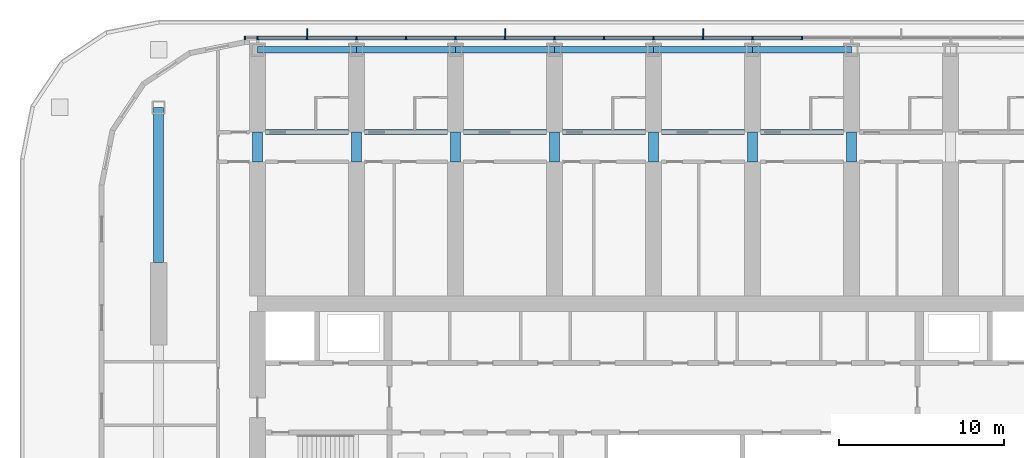
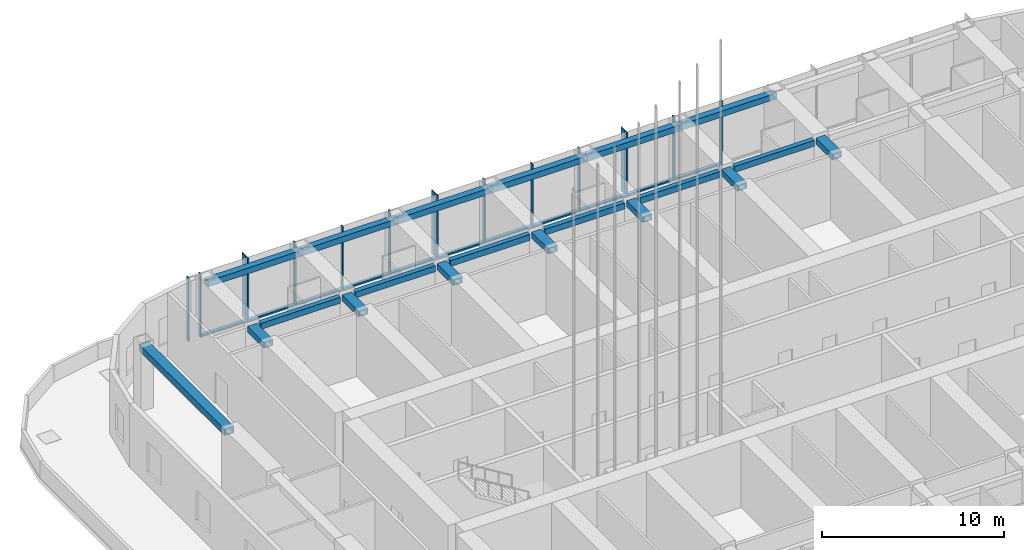
# One storey, part 4 of 32: 27 members, 20 beams, 1 element without a shape of its own.
"""IFC4 building model written with IfcOpenShell, lengths in metres."""

from ifc_helpers import new_model, si_unit, direction, frame, origin, origin_2d, place, context, subcontext, project, spatial, rectangle, hollow_rectangle, extrude, material, material_profile, profile_set, type_object, element, aggregate, save


model = new_model("IFC4")

# Units and contexts
model_context = context("Model", 3, precision=1e-05, world=origin(), true_north=direction((0.0, 1.0)))
body_context = subcontext(model_context, "Body", "Model", "MODEL_VIEW")
ifc_project = project(units=[si_unit("LENGTHUNIT", "METRE"), si_unit("AREAUNIT", "SQUARE_METRE"), si_unit("VOLUMEUNIT", "CUBIC_METRE"), si_unit("PLANEANGLEUNIT", "RADIAN"), si_unit("MASSUNIT", "GRAM", prefix="KILO")], contexts=[model_context])

# Site, building, storey
site_placement = place(None, origin())
site = spatial("IfcSite", under=ifc_project, at=site_placement, CompositionType="ELEMENT")
building_placement = place(site_placement, origin())
building = spatial("IfcBuilding", under=site, at=building_placement, Name="Orbita Commons", CompositionType="ELEMENT")
storey_placement = place(building_placement, frame((0.0, 0.0, 140.35009765625)))
storey = spatial("IfcBuildingStorey", under=building, at=storey_placement, Name="L34", CompositionType="ELEMENT", Elevation=140.35009765625)

# Curtain wall, members
ifc_material_1 = material(Name="Anodised aluminium frame, pale silver", Category="aluminium")
curtain_wall_type = type_object("IfcCurtainWallType", Name="Unitised curtain wall CW-S, full-height", PredefinedType="NOTDEFINED", material=ifc_material_1)
curtain_wall_placement = place(storey_placement, origin())
curtain_wall = element("IfcCurtainWall", 1, at=curtain_wall_placement, inside=storey, type_object=curtain_wall_type, Name="Curtain wall north L34", PredefinedType="NOTDEFINED")
ifc_material_2 = material(Name="Anodised aluminium, pale silver", Category="aluminium")
ifc_material_profile_1 = material_profile(ifc_material_2, rectangle(XDim=0.080078125, YDim=0.219970703125, at=origin_2d()), Name="AL 80x220")
ifc_profile_set_1 = profile_set([ifc_material_profile_1], Name="Anodised aluminium, pale silver")
member_type_1 = type_object("IfcMemberType", Name="Curtain wall mullion 80x220", PredefinedType="MULLION", material=ifc_profile_set_1)
member_1_placement = place(storey_placement, frame((51.0, 54.31005859375, 0.0), z_axis=(0.0, 0.0, 1.0), x_axis=(-1.0, 0.0, 0.0)))
member_1 = element("IfcMember", 2, at=member_1_placement, type_object=member_type_1, Name="Mullion 7 CW-L34-N", PredefinedType="MULLION", context=body_context, shape_type="SweptSolid", body=[
    extrude(rectangle(XDim=0.080078125, YDim=0.219970703125, at=origin_2d()), origin(), (0.0, 0.0, 1.0), 4.25),
])
member_2_placement = place(storey_placement, frame((48.0, 54.31005859375, 0.0), z_axis=(0.0, 0.0, 1.0), x_axis=(-1.0, 0.0, 0.0)))
member_2 = element("IfcMember", 3, at=member_2_placement, type_object=member_type_1, Name="Mullion 8 CW-L34-N", PredefinedType="MULLION", context=body_context, shape_type="SweptSolid", body=[
    extrude(rectangle(XDim=0.080078125, YDim=0.219970703125, at=origin_2d()), origin(), (0.0, 0.0, 1.0), 4.25),
])
member_3_placement = place(storey_placement, frame((45.0, 54.31005859375, 0.0), z_axis=(0.0, 0.0, 1.0), x_axis=(-1.0, 0.0, 0.0)))
member_3 = element("IfcMember", 4, at=member_3_placement, type_object=member_type_1, Name="Mullion 9 CW-L34-N", PredefinedType="MULLION", context=body_context, shape_type="SweptSolid", body=[
    extrude(rectangle(XDim=0.080078125, YDim=0.219970703125, at=origin_2d()), origin(), (0.0, 0.0, 1.0), 4.25),
])
member_4_placement = place(storey_placement, frame((42.0, 54.31005859375, 0.0), z_axis=(0.0, 0.0, 1.0), x_axis=(-1.0, 0.0, 0.0)))
member_4 = element("IfcMember", 5, at=member_4_placement, type_object=member_type_1, Name="Mullion 10 CW-L34-N", PredefinedType="MULLION", context=body_context, shape_type="SweptSolid", body=[
    extrude(rectangle(XDim=0.080078125, YDim=0.219970703125, at=origin_2d()), origin(), (0.0, 0.0, 1.0), 4.25),
])
member_5_placement = place(storey_placement, frame((39.0, 54.31005859375, 0.0), z_axis=(0.0, 0.0, 1.0), x_axis=(-1.0, 0.0, 0.0)))
member_5 = element("IfcMember", 6, at=member_5_placement, type_object=member_type_1, Name="Mullion 11 CW-L34-N", PredefinedType="MULLION", context=body_context, shape_type="SweptSolid", body=[
    extrude(rectangle(XDim=0.080078125, YDim=0.219970703125, at=origin_2d()), origin(), (0.0, 0.0, 1.0), 4.25),
])
member_6_placement = place(storey_placement, frame((36.0, 54.31005859375, 0.0), z_axis=(0.0, 0.0, 1.0), x_axis=(-1.0, 0.0, 0.0)))
member_6 = element("IfcMember", 7, at=member_6_placement, type_object=member_type_1, Name="Mullion 12 CW-L34-N", PredefinedType="MULLION", context=body_context, shape_type="SweptSolid", body=[
    extrude(rectangle(XDim=0.080078125, YDim=0.219970703125, at=origin_2d()), origin(), (0.0, 0.0, 1.0), 4.25),
])
member_7_placement = place(storey_placement, frame((33.0, 54.31005859375, 0.0), z_axis=(0.0, 0.0, 1.0), x_axis=(-1.0, 0.0, 0.0)))
member_7 = element("IfcMember", 8, at=member_7_placement, type_object=member_type_1, Name="Mullion 13 CW-L34-N", PredefinedType="MULLION", context=body_context, shape_type="SweptSolid", body=[
    extrude(rectangle(XDim=0.080078125, YDim=0.219970703125, at=origin_2d()), origin(), (0.0, 0.0, 1.0), 4.25),
])
member_8_placement = place(storey_placement, frame((30.0, 54.31005859375, 0.0), z_axis=(0.0, 0.0, 1.0), x_axis=(-1.0, 0.0, 0.0)))
member_8 = element("IfcMember", 9, at=member_8_placement, type_object=member_type_1, Name="Mullion 14 CW-L34-N", PredefinedType="MULLION", context=body_context, shape_type="SweptSolid", body=[
    extrude(rectangle(XDim=0.080078125, YDim=0.219970703125, at=origin_2d()), origin(), (0.0, 0.0, 1.0), 4.25),
])
member_9_placement = place(storey_placement, frame((27.0, 54.31005859375, 0.0), z_axis=(0.0, 0.0, 1.0), x_axis=(-1.0, 0.0, 0.0)))
member_9 = element("IfcMember", 10, at=member_9_placement, type_object=member_type_1, Name="Mullion 15 CW-L34-N", PredefinedType="MULLION", context=body_context, shape_type="SweptSolid", body=[
    extrude(rectangle(XDim=0.080078125, YDim=0.219970703125, at=origin_2d()), origin(), (0.0, 0.0, 1.0), 4.25),
])
member_10_placement = place(storey_placement, frame((24.0, 54.31005859375, 0.0), z_axis=(0.0, 0.0, 1.0), x_axis=(-1.0, 0.0, 0.0)))
member_10 = element("IfcMember", 11, at=member_10_placement, type_object=member_type_1, Name="Mullion 16 CW-L34-N", PredefinedType="MULLION", context=body_context, shape_type="SweptSolid", body=[
    extrude(rectangle(XDim=0.080078125, YDim=0.219970703125, at=origin_2d()), origin(), (0.0, 0.0, 1.0), 4.25),
])
member_11_placement = place(storey_placement, frame((21.0, 54.31005859375, 0.0), z_axis=(0.0, 0.0, 1.0), x_axis=(-1.0, 0.0, 0.0)))
member_11 = element("IfcMember", 12, at=member_11_placement, type_object=member_type_1, Name="Mullion 17 CW-L34-N", PredefinedType="MULLION", context=body_context, shape_type="SweptSolid", body=[
    extrude(rectangle(XDim=0.080078125, YDim=0.219970703125, at=origin_2d()), origin(), (0.0, 0.0, 1.0), 4.25),
])
member_12_placement = place(storey_placement, frame((18.0, 54.31005859375, 0.0), z_axis=(0.0, 0.0, 1.0), x_axis=(-1.0, 0.0, 0.0)))
member_12 = element("IfcMember", 13, at=member_12_placement, type_object=member_type_1, Name="Mullion 18 CW-L34-N", PredefinedType="MULLION", context=body_context, shape_type="SweptSolid", body=[
    extrude(rectangle(XDim=0.080078125, YDim=0.219970703125, at=origin_2d()), origin(), (0.0, 0.0, 1.0), 4.25),
])
member_13_placement = place(storey_placement, frame((17.239990234375, 54.31005859375, 0.0), z_axis=(0.0, 0.0, 1.0), x_axis=(-1.0, 0.0, 0.0)))
member_13 = element("IfcMember", 14, at=member_13_placement, type_object=member_type_1, Name="Mullion 19 CW-L34-N", PredefinedType="MULLION", context=body_context, shape_type="SweptSolid", body=[
    extrude(rectangle(XDim=0.080078125, YDim=0.219970703125, at=origin_2d()), origin(), (0.0, 0.0, 1.0), 4.25),
])
ifc_material_3 = material(Name="Anodised aluminium, pale silver", Category="aluminium")
ifc_material_profile_2 = material_profile(ifc_material_3, rectangle(XDim=0.219970703125, YDim=0.10009765625, at=origin_2d()), Name="AL 220x100")
ifc_profile_set_2 = profile_set([ifc_material_profile_2], Name="Anodised aluminium, pale silver")
member_type_2 = type_object("IfcMemberType", Name="Curtain wall stack transom 220x100", PredefinedType="USERDEFINED", material=ifc_profile_set_2)
member_14_placement = place(storey_placement, frame((50.9599609375, 54.31005859375, 0.0498046875), z_axis=(-1.0, 0.0, 0.0), x_axis=(0.0, -1.0, 0.0)))
member_14 = element("IfcMember", 15, at=member_14_placement, type_object=member_type_2, Name="Transom 7.1 CW-L34-N", ObjectType="TRANSOM", PredefinedType="USERDEFINED", context=body_context, shape_type="SweptSolid", body=[
    extrude(rectangle(XDim=0.219970703125, YDim=0.10009765625, at=origin_2d()), origin(), (0.0, 0.0, 1.0), 2.919921875),
])
member_15_placement = place(storey_placement, frame((47.9599609375, 54.31005859375, 0.0498046875), z_axis=(-1.0, 0.0, 0.0), x_axis=(0.0, -1.0, 0.0)))
member_15 = element("IfcMember", 16, at=member_15_placement, type_object=member_type_2, Name="Transom 8.1 CW-L34-N", ObjectType="TRANSOM", PredefinedType="USERDEFINED", context=body_context, shape_type="SweptSolid", body=[
    extrude(rectangle(XDim=0.219970703125, YDim=0.10009765625, at=origin_2d()), origin(), (0.0, 0.0, 1.0), 2.919921875),
])
member_16_placement = place(storey_placement, frame((44.9599609375, 54.31005859375, 0.0498046875), z_axis=(-1.0, 0.0, 0.0), x_axis=(0.0, -1.0, 0.0)))
member_16 = element("IfcMember", 17, at=member_16_placement, type_object=member_type_2, Name="Transom 9.1 CW-L34-N", ObjectType="TRANSOM", PredefinedType="USERDEFINED", context=body_context, shape_type="SweptSolid", body=[
    extrude(rectangle(XDim=0.219970703125, YDim=0.10009765625, at=origin_2d()), origin(), (0.0, 0.0, 1.0), 2.919921875),
])
member_17_placement = place(storey_placement, frame((41.9599609375, 54.31005859375, 0.0498046875), z_axis=(-1.0, 0.0, 0.0), x_axis=(0.0, -1.0, 0.0)))
member_17 = element("IfcMember", 18, at=member_17_placement, type_object=member_type_2, Name="Transom 10.1 CW-L34-N", ObjectType="TRANSOM", PredefinedType="USERDEFINED", context=body_context, shape_type="SweptSolid", body=[
    extrude(rectangle(XDim=0.219970703125, YDim=0.10009765625, at=origin_2d()), origin(), (0.0, 0.0, 1.0), 2.919921875),
])
member_18_placement = place(storey_placement, frame((38.9599609375, 54.31005859375, 0.0498046875), z_axis=(-1.0, 0.0, 0.0), x_axis=(0.0, -1.0, 0.0)))
member_18 = element("IfcMember", 19, at=member_18_placement, type_object=member_type_2, Name="Transom 11.1 CW-L34-N", ObjectType="TRANSOM", PredefinedType="USERDEFINED", context=body_context, shape_type="SweptSolid", body=[
    extrude(rectangle(XDim=0.219970703125, YDim=0.10009765625, at=origin_2d()), origin(), (0.0, 0.0, 1.0), 2.919921875),
])
member_19_placement = place(storey_placement, frame((35.9599609375, 54.31005859375, 0.0498046875), z_axis=(-1.0, 0.0, 0.0), x_axis=(0.0, -1.0, 0.0)))
member_19 = element("IfcMember", 20, at=member_19_placement, type_object=member_type_2, Name="Transom 12.1 CW-L34-N", ObjectType="TRANSOM", PredefinedType="USERDEFINED", context=body_context, shape_type="SweptSolid", body=[
    extrude(rectangle(XDim=0.219970703125, YDim=0.10009765625, at=origin_2d()), origin(), (0.0, 0.0, 1.0), 2.919921875),
])
member_20_placement = place(storey_placement, frame((32.9599609375, 54.31005859375, 0.0498046875), z_axis=(-1.0, 0.0, 0.0), x_axis=(0.0, -1.0, 0.0)))
member_20 = element("IfcMember", 21, at=member_20_placement, type_object=member_type_2, Name="Transom 13.1 CW-L34-N", ObjectType="TRANSOM", PredefinedType="USERDEFINED", context=body_context, shape_type="SweptSolid", body=[
    extrude(rectangle(XDim=0.219970703125, YDim=0.10009765625, at=origin_2d()), origin(), (0.0, 0.0, 1.0), 2.919921875),
])
member_21_placement = place(storey_placement, frame((29.9599609375, 54.31005859375, 0.0498046875), z_axis=(-1.0, 0.0, 0.0), x_axis=(0.0, -1.0, 0.0)))
member_21 = element("IfcMember", 22, at=member_21_placement, type_object=member_type_2, Name="Transom 14.1 CW-L34-N", ObjectType="TRANSOM", PredefinedType="USERDEFINED", context=body_context, shape_type="SweptSolid", body=[
    extrude(rectangle(XDim=0.219970703125, YDim=0.10009765625, at=origin_2d()), origin(), (0.0, 0.0, 1.0), 2.919921875),
])
member_22_placement = place(storey_placement, frame((26.9599609375, 54.31005859375, 0.0498046875), z_axis=(-1.0, 0.0, 0.0), x_axis=(0.0, -1.0, 0.0)))
member_22 = element("IfcMember", 23, at=member_22_placement, type_object=member_type_2, Name="Transom 15.1 CW-L34-N", ObjectType="TRANSOM", PredefinedType="USERDEFINED", context=body_context, shape_type="SweptSolid", body=[
    extrude(rectangle(XDim=0.219970703125, YDim=0.10009765625, at=origin_2d()), origin(), (0.0, 0.0, 1.0), 2.919921875),
])
member_23_placement = place(storey_placement, frame((23.9599609375, 54.31005859375, 0.0498046875), z_axis=(-1.0, 0.0, 0.0), x_axis=(0.0, -1.0, 0.0)))
member_23 = element("IfcMember", 24, at=member_23_placement, type_object=member_type_2, Name="Transom 16.1 CW-L34-N", ObjectType="TRANSOM", PredefinedType="USERDEFINED", context=body_context, shape_type="SweptSolid", body=[
    extrude(rectangle(XDim=0.219970703125, YDim=0.10009765625, at=origin_2d()), origin(), (0.0, 0.0, 1.0), 2.919921875),
])
member_24_placement = place(storey_placement, frame((20.9599609375, 54.31005859375, 0.0498046875), z_axis=(-1.0, 0.0, 0.0), x_axis=(0.0, -1.0, 0.0)))
member_24 = element("IfcMember", 25, at=member_24_placement, type_object=member_type_2, Name="Transom 17.1 CW-L34-N", ObjectType="TRANSOM", PredefinedType="USERDEFINED", context=body_context, shape_type="SweptSolid", body=[
    extrude(rectangle(XDim=0.219970703125, YDim=0.10009765625, at=origin_2d()), origin(), (0.0, 0.0, 1.0), 2.919921875),
])

# Beams
ifc_material_4 = material(Name="Steel ASTM A572 Gr 50 welded plate", Category="steel")
ifc_material_profile_3 = material_profile(ifc_material_4, hollow_rectangle(XDim=0.300048828125, YDim=0.39990234375, WallThickness=0.0400390625, at=origin_2d()), Name="BOX 400x300x40")
ifc_profile_set_3 = profile_set([ifc_material_profile_3], Name="Steel ASTM A572 Gr 50 welded plate")
beam_type_1 = type_object("IfcBeamType", Name="Steel corridor link BOX 400x300x40", PredefinedType="BEAM", material=ifc_profile_set_3)
for number, where, z_axis, x_axis, name in (
    (26, (18.47509765625, 48.60009765625, 4.0498046875), (1.0, 0.0, 0.0), (0.0, 1.0, 0.0), "Corridor beam NB 4-5 L34"),
    (27, (24.47509765625, 48.60009765625, 4.0498046875), (1.0, 0.0, 0.0), (0.0, 1.0, 0.0), "Corridor beam NB 5-6 L34"),
    (28, (30.47509765625, 48.60009765625, 4.0498046875), (1.0, 0.0, 0.0), (0.0, 1.0, 0.0), "Corridor beam NB 6-7 L34"),
    (29, (36.47509765625, 48.60009765625, 4.0498046875), (1.0, 0.0, 0.0), (0.0, 1.0, 0.0), "Corridor beam NB 7-8 L34"),
    (30, (42.47509765625, 48.60009765625, 4.0498046875), (1.0, 0.0, 0.0), (0.0, 1.0, 0.0), "Corridor beam NB 8-9 L34"),
    (31, (48.47509765625, 48.60009765625, 4.0498046875), (1.0, 0.0, 0.0), (0.0, 1.0, 0.0), "Corridor beam NB 9-10 L34"),
):
    element("IfcBeam", number, at=place(storey_placement, frame(where, z_axis=z_axis, x_axis=x_axis)), inside=storey, type_object=beam_type_1, Name=name, PredefinedType="BEAM", context=body_context, shape_type="SweptSolid", body=[
        extrude(hollow_rectangle(XDim=0.300048828125, YDim=0.39990234375, WallThickness=0.0400390625, at=origin_2d()), origin(), (0.0, 0.0, 1.0), 5.0498046875),
    ])
ifc_material_5 = material(Name="Steel ASTM A572 Gr 50 welded plate", Category="steel")
ifc_material_profile_4 = material_profile(ifc_material_5, hollow_rectangle(XDim=0.60009765625, YDim=0.39990234375, WallThickness=0.050048828125, at=origin_2d()), Name="BOX 400x600x50")
ifc_profile_set_4 = profile_set([ifc_material_profile_4], Name="Steel ASTM A572 Gr 50 welded plate")
beam_type_2 = type_object("IfcBeamType", Name="Steel coupling link BOX 400x600x50", PredefinedType="LINTEL", material=ifc_profile_set_4)
for number, where, z_axis, x_axis, name in (
    (32, (18.0, 46.800048828125, 4.0498046875), (0.0, 1.0, 0.0), (-1.0, 0.0, 0.0), "Coupling beam 4 north L34"),
    (33, (24.0, 46.800048828125, 4.0498046875), (0.0, 1.0, 0.0), (-1.0, 0.0, 0.0), "Coupling beam 5 north L34"),
    (34, (30.0, 46.800048828125, 4.0498046875), (0.0, 1.0, 0.0), (-1.0, 0.0, 0.0), "Coupling beam 6 north L34"),
    (35, (36.0, 46.800048828125, 4.0498046875), (0.0, 1.0, 0.0), (-1.0, 0.0, 0.0), "Coupling beam 7 north L34"),
    (36, (42.0, 46.800048828125, 4.0498046875), (0.0, 1.0, 0.0), (-1.0, 0.0, 0.0), "Coupling beam 8 north L34"),
    (37, (48.0, 46.800048828125, 4.0498046875), (0.0, 1.0, 0.0), (-1.0, 0.0, 0.0), "Coupling beam 9 north L34"),
    (38, (54.0, 46.800048828125, 4.0498046875), (0.0, 1.0, 0.0), (-1.0, 0.0, 0.0), "Coupling beam 10 north L34"),
):
    element("IfcBeam", number, at=place(storey_placement, frame(where, z_axis=z_axis, x_axis=x_axis)), inside=storey, type_object=beam_type_2, Name=name, PredefinedType="LINTEL", context=body_context, shape_type="SweptSolid", body=[
        extrude(hollow_rectangle(XDim=0.60009765625, YDim=0.39990234375, WallThickness=0.050048828125, at=origin_2d()), origin(), (0.0, 0.0, 1.0), 1.800048828125),
    ])
ifc_material_6 = material(Name="Steel ASTM A572 Gr 50 welded plate", Category="steel")
ifc_material_profile_5 = material_profile(ifc_material_6, hollow_rectangle(XDim=0.60009765625, YDim=0.449951171875, WallThickness=0.06005859375, at=origin_2d()), Name="BOX 450x600x60")
ifc_profile_set_5 = profile_set([ifc_material_profile_5], Name="Steel ASTM A572 Gr 50 welded plate")
beam_type_3 = type_object("IfcBeamType", Name="Steel end frame link BOX 450x600x60", PredefinedType="BEAM", material=ifc_profile_set_5)
beam_placement = place(storey_placement, frame((12.0, 40.699951171875, 4.02490234375), z_axis=(0.0, 1.0, 0.0), x_axis=(-1.0, 0.0, 0.0)))
element("IfcBeam", 39, at=beam_placement, inside=storey, type_object=beam_type_3, Name="End frame beam 3 D-E L34", PredefinedType="BEAM", context=body_context, shape_type="SweptSolid", body=[
    extrude(hollow_rectangle(XDim=0.60009765625, YDim=0.449951171875, WallThickness=0.06005859375, at=origin_2d()), origin(), (0.0, 0.0, 1.0), 9.400146484375),
])
ifc_material_7 = material(Name="Steel ASTM A572 Gr 50 welded plate", Category="steel")
ifc_material_profile_6 = material_profile(ifc_material_7, hollow_rectangle(XDim=0.39990234375, YDim=0.39990234375, WallThickness=0.0400390625, at=origin_2d()), Name="BOX 400x400x40")
ifc_profile_set_6 = profile_set([ifc_material_profile_6], Name="Steel ASTM A572 Gr 50 welded plate")
beam_type_4 = type_object("IfcBeamType", Name="Steel spandrel BOX 400x400x40", PredefinedType="SPANDREL", material=ifc_profile_set_6)
for number, where, z_axis, x_axis, name in (
    (40, (18.0, 53.60009765625, 4.0498046875), (1.0, 0.0, 0.0), (0.0, 1.0, 0.0), "Spandrel beam E 4-5 L34"),
    (41, (24.0, 53.60009765625, 4.0498046875), (1.0, 0.0, 0.0), (0.0, 1.0, 0.0), "Spandrel beam E 5-6 L34"),
    (42, (30.0, 53.60009765625, 4.0498046875), (1.0, 0.0, 0.0), (0.0, 1.0, 0.0), "Spandrel beam E 6-7 L34"),
    (43, (36.0, 53.60009765625, 4.0498046875), (1.0, 0.0, 0.0), (0.0, 1.0, 0.0), "Spandrel beam E 7-8 L34"),
    (44, (42.0, 53.60009765625, 4.0498046875), (1.0, 0.0, 0.0), (0.0, 1.0, 0.0), "Spandrel beam E 8-9 L34"),
    (45, (48.0, 53.60009765625, 4.0498046875), (1.0, 0.0, 0.0), (0.0, 1.0, 0.0), "Spandrel beam E 9-10 L34"),
):
    element("IfcBeam", number, at=place(storey_placement, frame(where, z_axis=z_axis, x_axis=x_axis)), inside=storey, type_object=beam_type_4, Name=name, PredefinedType="SPANDREL", context=body_context, shape_type="SweptSolid", body=[
        extrude(hollow_rectangle(XDim=0.39990234375, YDim=0.39990234375, WallThickness=0.0400390625, at=origin_2d()), origin(), (0.0, 0.0, 1.0), 6.0),
    ])

# Member
ifc_material_8 = material(Name="Anodised aluminium, pale silver", Category="aluminium")
ifc_material_profile_7 = material_profile(ifc_material_8, rectangle(XDim=0.06005859375, YDim=0.449951171875, at=origin_2d()), Name="FIN 60x450")
ifc_profile_set_7 = profile_set([ifc_material_profile_7], Name="Anodised aluminium, pale silver")
member_type_3 = type_object("IfcMemberType", Name="Vertical fin 60x450 pale aluminium", PredefinedType="USERDEFINED", material=ifc_profile_set_7)
member_25_placement = place(storey_placement, frame((45.0, 54.64501953125, 0.0), z_axis=(0.0, 0.0, 1.0), x_axis=(-1.0, 0.0, 0.0)))
member_25 = element("IfcMember", 46, at=member_25_placement, type_object=member_type_3, Name="Fin 9 CW-L34-N", ObjectType="FIN", PredefinedType="USERDEFINED", context=body_context, shape_type="SweptSolid", body=[
    extrude(rectangle(XDim=0.06005859375, YDim=0.449951171875, at=origin_2d()), origin(), (0.0, 0.0, 1.0), 4.25),
])

member_26_placement = place(storey_placement, frame((33.0, 54.64501953125, 0.0), z_axis=(0.0, 0.0, 1.0), x_axis=(-1.0, 0.0, 0.0)))
member_26 = element("IfcMember", 47, at=member_26_placement, type_object=member_type_3, Name="Fin 13 CW-L34-N", ObjectType="FIN", PredefinedType="USERDEFINED", context=body_context, shape_type="SweptSolid", body=[
    extrude(rectangle(XDim=0.06005859375, YDim=0.449951171875, at=origin_2d()), origin(), (0.0, 0.0, 1.0), 4.25),
])

member_27_placement = place(storey_placement, frame((21.0, 54.64501953125, 0.0), z_axis=(0.0, 0.0, 1.0), x_axis=(-1.0, 0.0, 0.0)))
member_27 = element("IfcMember", 48, at=member_27_placement, type_object=member_type_3, Name="Fin 17 CW-L34-N", ObjectType="FIN", PredefinedType="USERDEFINED", context=body_context, shape_type="SweptSolid", body=[
    extrude(rectangle(XDim=0.06005859375, YDim=0.449951171875, at=origin_2d()), origin(), (0.0, 0.0, 1.0), 4.25),
])

aggregate(curtain_wall, [member_1, member_2, member_3, member_25, member_4, member_5, member_6, member_7, member_26, member_8, member_9, member_10, member_11, member_27, member_12, member_13, member_14, member_15, member_16, member_17, member_18, member_19, member_20, member_21, member_22, member_23, member_24])

save(model, "model.ifc")
